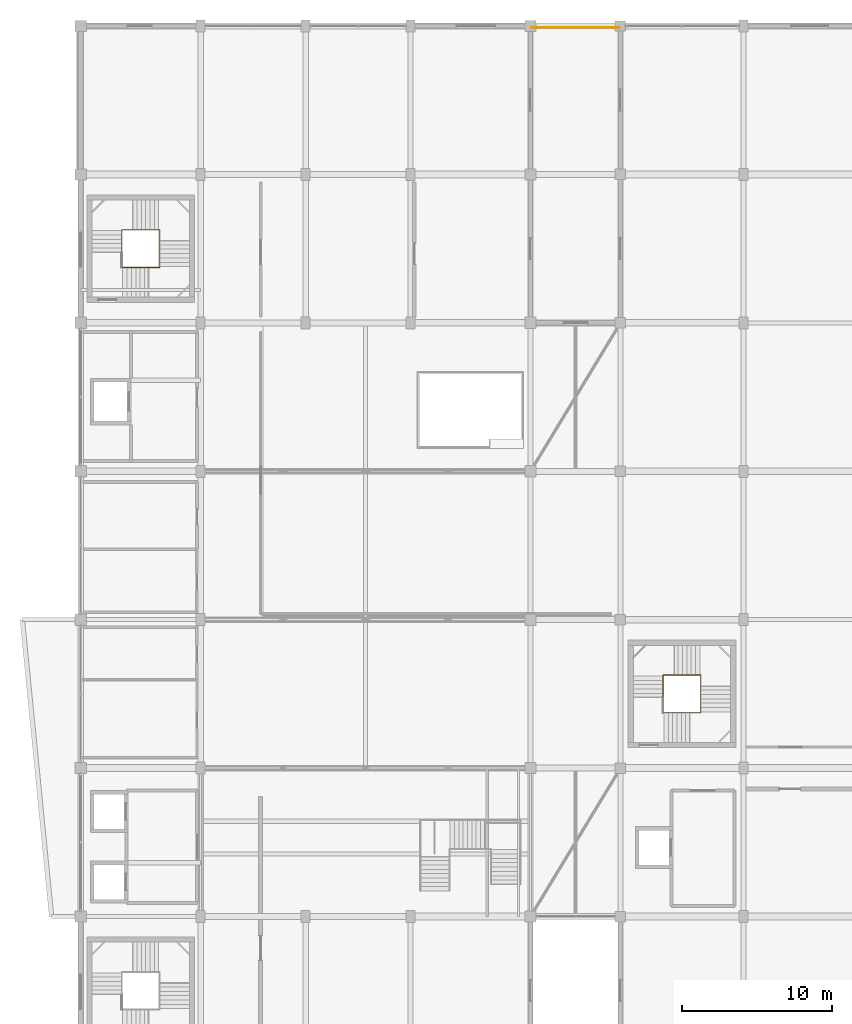
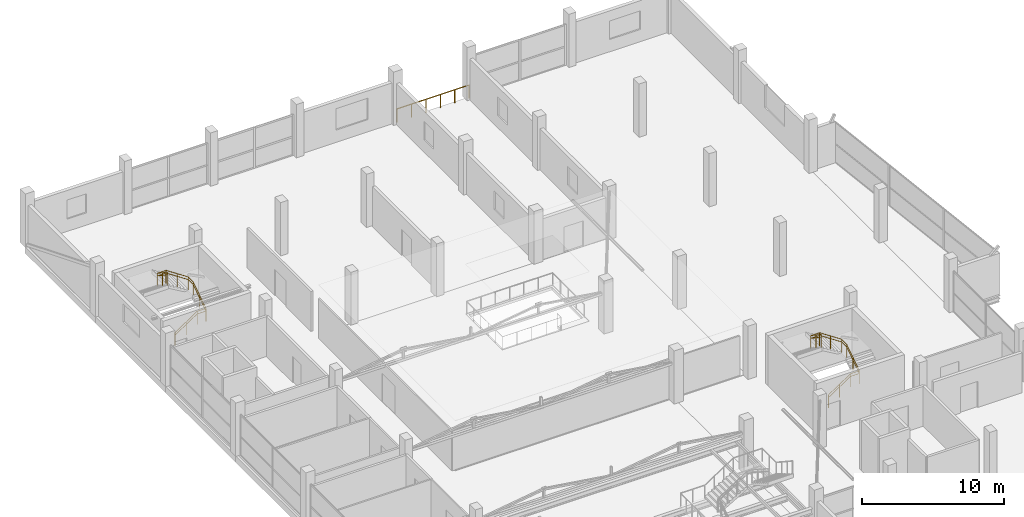
# One storey, part 55 of 55: 5 railings.
"""IFC4 building model written with IfcOpenShell, lengths in metres."""

from ifc_helpers import new_model, si_unit, direction, frame, origin, origin_2d, place, context, subcontext, project, spatial, circle, extrude, material, type_object, element, save


model = new_model("IFC4")

# Units and contexts
model_context = context("Model", 3, precision=1e-05, world=origin(), true_north=direction((0.0, 1.0)))
body_context = subcontext(model_context, "Body", "Model", "MODEL_VIEW")
ifc_project = project(units=[si_unit("LENGTHUNIT", "METRE"), si_unit("AREAUNIT", "SQUARE_METRE"), si_unit("VOLUMEUNIT", "CUBIC_METRE"), si_unit("PLANEANGLEUNIT", "RADIAN"), si_unit("MASSUNIT", "GRAM", prefix="KILO")], contexts=[model_context])

# Site, building, storey
site_placement = place(None, origin())
site = spatial("IfcSite", under=ifc_project, at=site_placement, CompositionType="ELEMENT")
building_placement = place(site_placement, origin())
building = spatial("IfcBuilding", under=site, at=building_placement, Name="Sillaruma Civic Art Gallery", CompositionType="ELEMENT")
storey_placement = place(building_placement, frame((0.0, 0.0, 37.739990234375)))
storey = spatial("IfcBuildingStorey", under=building, at=storey_placement, Name="L07", CompositionType="ELEMENT", Elevation=37.739990234375)

# Railings
ifc_material = material(Name="Stainless Steel AISI 316", Category="steel")
railing_type_1 = type_object("IfcRailingType", Name="RAL-BAL-1150", PredefinedType="BALUSTRADE", material=ifc_material)
railing_1_placement = place(storey_placement, frame((92.06005859375, 98.8798828125, 0.0)))
element("IfcRailing", 1, at=railing_1_placement, inside=storey, type_object=railing_type_1, Name="Sculpture Terrace Balustrade (SLB-L07-TER-CN-1)", PredefinedType="BALUSTRADE", context=body_context, shape_type="SweptSolid", body=[
    extrude(circle(Radius=0.02392578125, at=origin_2d()), frame((0.0, 0.0, 1.1259765625), z_axis=(1.0, 0.0, 0.0), x_axis=(0.0, 1.0, 0.0)), (0.0, 0.0, 1.0), 5.8798828125),
    extrude(circle(Radius=0.02099609375, at=origin_2d()), origin(), (0.0, 0.0, 1.0), 1.101806640625),
    extrude(circle(Radius=0.02099609375, at=origin_2d()), frame((1.176025390625, 0.0, 0.0)), (0.0, 0.0, 1.0), 1.101806640625),
    extrude(circle(Radius=0.02099609375, at=origin_2d()), frame((2.35205078125, 0.0, 0.0)), (0.0, 0.0, 1.0), 1.101806640625),
    extrude(circle(Radius=0.02099609375, at=origin_2d()), frame((3.52783203125, 0.0, 0.0)), (0.0, 0.0, 1.0), 1.101806640625),
    extrude(circle(Radius=0.02099609375, at=origin_2d()), frame((4.703857421875, 0.0, 0.0)), (0.0, 0.0, 1.0), 1.101806640625),
    extrude(circle(Radius=0.02099609375, at=origin_2d()), frame((5.8798828125, 0.0, 0.0)), (0.0, 0.0, 1.0), 1.101806640625),
])
railing_2_placement = place(storey_placement, frame((64.739990234375, 82.889892578125, 0.0)))
element("IfcRailing", 2, at=railing_2_placement, inside=storey, type_object=railing_type_1, Name="Stair Well Balustrade (ST-02-L07)", PredefinedType="BALUSTRADE", context=body_context, shape_type="SweptSolid", body=[
    extrude(circle(Radius=0.02392578125, at=origin_2d()), frame((0.0, 0.0, 1.1259765625), z_axis=(0.834202413191, 0.0, 0.551458369984), x_axis=(0.0, 1.0, 0.0)), (0.0, 0.0, 1.0), 2.15771484375),
    extrude(circle(Radius=0.02392578125, at=origin_2d()), frame((1.800048828125, 0.0, 2.31591796875), z_axis=(1.0, 0.0, 0.0), x_axis=(0.0, 1.0, 0.0)), (0.0, 0.0, 1.0), 0.719970703125),
    extrude(circle(Radius=0.02392578125, at=origin_2d()), frame((2.52001953125, 0.0, 2.31591796875), z_axis=(0.0, 0.834150363844, 0.551537098025), x_axis=(-1.0, 0.0, 0.0)), (0.0, 0.0, 1.0), 2.157958984375),
    extrude(circle(Radius=0.02392578125, at=origin_2d()), frame((2.52001953125, 1.800048828125, 3.505859375), z_axis=(0.0, 1.0, 0.0), x_axis=(-1.0, 0.0, 0.0)), (0.0, 0.0, 1.0), 0.719970703125),
    extrude(circle(Radius=0.02392578125, at=origin_2d()), frame((2.52001953125, 2.52001953125, 3.505859375), z_axis=(-0.834202413191, 0.0, 0.551458369984), x_axis=(0.0, -1.0, 0.0)), (0.0, 0.0, 1.0), 2.15771484375),
    extrude(circle(Radius=0.02392578125, at=origin_2d()), frame((0.719970703125, 2.52001953125, 4.69580078125), z_axis=(-1.0, 0.0, 0.0), x_axis=(0.0, -1.0, 0.0)), (0.0, 0.0, 1.0), 0.719970703125),
    extrude(circle(Radius=0.02392578125, at=origin_2d()), frame((0.0, 2.52001953125, 4.69580078125), z_axis=(0.0, -0.828654473869, 0.559760451387), x_axis=(1.0, 0.0, 0.0)), (0.0, 0.0, 1.0), 1.822265625),
    extrude(circle(Radius=0.02099609375, at=origin_2d()), origin(), (0.0, 0.0, 1.0), 1.101806640625),
    extrude(circle(Radius=0.02099609375, at=origin_2d()), frame((0.89990234375, 0.0, 0.594970703125)), (0.0, 0.0, 1.0), 1.101806640625),
    extrude(circle(Radius=0.02099609375, at=origin_2d()), frame((1.800048828125, 0.0, 1.18994140625)), (0.0, 0.0, 1.0), 1.101806640625),
    extrude(circle(Radius=0.02099609375, at=origin_2d()), frame((2.52001953125, 0.0, 1.18994140625)), (0.0, 0.0, 1.0), 1.101806640625),
    extrude(circle(Radius=0.02099609375, at=origin_2d()), frame((2.52001953125, 0.89990234375, 1.78515625)), (0.0, 0.0, 1.0), 1.101806640625),
    extrude(circle(Radius=0.02099609375, at=origin_2d()), frame((2.52001953125, 1.800048828125, 2.380126953125)), (0.0, 0.0, 1.0), 1.101806640625),
    extrude(circle(Radius=0.02099609375, at=origin_2d()), frame((2.52001953125, 2.52001953125, 2.380126953125)), (0.0, 0.0, 1.0), 1.101806640625),
    extrude(circle(Radius=0.02099609375, at=origin_2d()), frame((1.6201171875, 2.52001953125, 2.97509765625)), (0.0, 0.0, 1.0), 1.101806640625),
    extrude(circle(Radius=0.02099609375, at=origin_2d()), frame((0.719970703125, 2.52001953125, 3.570068359375)), (0.0, 0.0, 1.0), 1.101806640625),
    extrude(circle(Radius=0.02099609375, at=origin_2d()), frame((0.0, 2.52001953125, 3.570068359375)), (0.0, 0.0, 1.0), 1.101806640625),
    extrude(circle(Radius=0.02099609375, at=origin_2d()), frame((0.0, 1.76513671875, 4.080078125)), (0.0, 0.0, 1.0), 1.101806640625),
    extrude(circle(Radius=0.02099609375, at=origin_2d()), frame((0.0, 1.010009765625, 4.590087890625)), (0.0, 0.0, 1.0), 1.101806640625),
])
railing_3_placement = place(storey_placement, frame((100.840087890625, 53.18994140625, 0.0)))
element("IfcRailing", 3, at=railing_3_placement, inside=storey, type_object=railing_type_1, Name="Stair Well Balustrade (ST-04-L07)", PredefinedType="BALUSTRADE", context=body_context, shape_type="SweptSolid", body=[
    extrude(circle(Radius=0.02392578125, at=origin_2d()), frame((0.0, 0.0, 1.1259765625), z_axis=(0.834168000855, 0.0, 0.551510422703), x_axis=(0.0, 1.0, 0.0)), (0.0, 0.0, 1.0), 2.15771484375),
    extrude(circle(Radius=0.02392578125, at=origin_2d()), frame((1.7998046875, 0.0, 2.31591796875), z_axis=(1.0, 0.0, 0.0), x_axis=(0.0, 1.0, 0.0)), (0.0, 0.0, 1.0), 0.72021484375),
    extrude(circle(Radius=0.02392578125, at=origin_2d()), frame((2.52001953125, 0.0, 2.31591796875), z_axis=(0.0, 0.834150363844, 0.551537098025), x_axis=(-1.0, 0.0, 0.0)), (0.0, 0.0, 1.0), 2.157958984375),
    extrude(circle(Radius=0.02392578125, at=origin_2d()), frame((2.52001953125, 1.800048828125, 3.505859375), z_axis=(0.0, 1.0, 0.0), x_axis=(-1.0, 0.0, 0.0)), (0.0, 0.0, 1.0), 0.719970703125),
    extrude(circle(Radius=0.02392578125, at=origin_2d()), frame((2.52001953125, 2.52001953125, 3.505859375), z_axis=(-0.834202413191, 0.0, 0.551458369984), x_axis=(0.0, -1.0, 0.0)), (0.0, 0.0, 1.0), 2.15771484375),
    extrude(circle(Radius=0.02392578125, at=origin_2d()), frame((0.719970703125, 2.52001953125, 4.69580078125), z_axis=(-1.0, 0.0, 0.0), x_axis=(0.0, -1.0, 0.0)), (0.0, 0.0, 1.0), 0.719970703125),
    extrude(circle(Radius=0.02392578125, at=origin_2d()), frame((0.0, 2.52001953125, 4.69580078125), z_axis=(0.0, -0.828654473869, 0.559760451387), x_axis=(1.0, 0.0, 0.0)), (0.0, 0.0, 1.0), 1.822265625),
    extrude(circle(Radius=0.02099609375, at=origin_2d()), origin(), (0.0, 0.0, 1.0), 1.101806640625),
    extrude(circle(Radius=0.02099609375, at=origin_2d()), frame((0.89990234375, 0.0, 0.594970703125)), (0.0, 0.0, 1.0), 1.101806640625),
    extrude(circle(Radius=0.02099609375, at=origin_2d()), frame((1.7998046875, 0.0, 1.18994140625)), (0.0, 0.0, 1.0), 1.101806640625),
    extrude(circle(Radius=0.02099609375, at=origin_2d()), frame((2.52001953125, 0.0, 1.18994140625)), (0.0, 0.0, 1.0), 1.101806640625),
    extrude(circle(Radius=0.02099609375, at=origin_2d()), frame((2.52001953125, 0.89990234375, 1.78515625)), (0.0, 0.0, 1.0), 1.101806640625),
    extrude(circle(Radius=0.02099609375, at=origin_2d()), frame((2.52001953125, 1.800048828125, 2.380126953125)), (0.0, 0.0, 1.0), 1.101806640625),
    extrude(circle(Radius=0.02099609375, at=origin_2d()), frame((2.52001953125, 2.52001953125, 2.380126953125)), (0.0, 0.0, 1.0), 1.101806640625),
    extrude(circle(Radius=0.02099609375, at=origin_2d()), frame((1.6201171875, 2.52001953125, 2.97509765625)), (0.0, 0.0, 1.0), 1.101806640625),
    extrude(circle(Radius=0.02099609375, at=origin_2d()), frame((0.719970703125, 2.52001953125, 3.570068359375)), (0.0, 0.0, 1.0), 1.101806640625),
    extrude(circle(Radius=0.02099609375, at=origin_2d()), frame((0.0, 2.52001953125, 3.570068359375)), (0.0, 0.0, 1.0), 1.101806640625),
    extrude(circle(Radius=0.02099609375, at=origin_2d()), frame((0.0, 1.76513671875, 4.080078125)), (0.0, 0.0, 1.0), 1.101806640625),
    extrude(circle(Radius=0.02099609375, at=origin_2d()), frame((0.0, 1.010009765625, 4.590087890625)), (0.0, 0.0, 1.0), 1.101806640625),
])
railing_type_2 = type_object("IfcRailingType", Name="RAL-HND-920", PredefinedType="HANDRAIL", material=ifc_material)
railing_4_placement = place(storey_placement, frame((64.739990234375, 82.889892578125, 0.0)))
element("IfcRailing", 4, at=railing_4_placement, inside=storey, type_object=railing_type_2, Name="Stair Continuous Handrail (ST-02-L07)", PredefinedType="HANDRAIL", context=body_context, shape_type="SweptSolid", body=[
    extrude(circle(Radius=0.02392578125, at=origin_2d()), frame((0.0, 0.0, 0.89599609375), z_axis=(0.834202413191, 0.0, 0.551458369984), x_axis=(0.0, 1.0, 0.0)), (0.0, 0.0, 1.0), 2.15771484375),
    extrude(circle(Radius=0.02392578125, at=origin_2d()), frame((1.800048828125, 0.0, 2.0859375), z_axis=(1.0, 0.0, 0.0), x_axis=(0.0, 1.0, 0.0)), (0.0, 0.0, 1.0), 0.719970703125),
    extrude(circle(Radius=0.02392578125, at=origin_2d()), frame((2.52001953125, 0.0, 2.0859375), z_axis=(0.0, 0.834150363844, 0.551537098025), x_axis=(-1.0, 0.0, 0.0)), (0.0, 0.0, 1.0), 2.157958984375),
    extrude(circle(Radius=0.02392578125, at=origin_2d()), frame((2.52001953125, 1.800048828125, 3.27587890625), z_axis=(0.0, 1.0, 0.0), x_axis=(-1.0, 0.0, 0.0)), (0.0, 0.0, 1.0), 0.719970703125),
    extrude(circle(Radius=0.02392578125, at=origin_2d()), frame((2.52001953125, 2.52001953125, 3.27587890625), z_axis=(-0.834202413191, 0.0, 0.551458369984), x_axis=(0.0, -1.0, 0.0)), (0.0, 0.0, 1.0), 2.15771484375),
    extrude(circle(Radius=0.02392578125, at=origin_2d()), frame((0.719970703125, 2.52001953125, 4.4658203125), z_axis=(-1.0, 0.0, 0.0), x_axis=(0.0, -1.0, 0.0)), (0.0, 0.0, 1.0), 0.719970703125),
    extrude(circle(Radius=0.02392578125, at=origin_2d()), frame((0.0, 2.52001953125, 4.4658203125), z_axis=(0.0, -0.828654473869, 0.559760451387), x_axis=(1.0, 0.0, 0.0)), (0.0, 0.0, 1.0), 1.822265625),
    extrude(circle(Radius=0.02099609375, at=origin_2d()), origin(), (0.0, 0.0, 1.0), 0.871826171875),
    extrude(circle(Radius=0.02099609375, at=origin_2d()), frame((0.89990234375, 0.0, 0.594970703125)), (0.0, 0.0, 1.0), 0.871826171875),
    extrude(circle(Radius=0.02099609375, at=origin_2d()), frame((1.800048828125, 0.0, 1.18994140625)), (0.0, 0.0, 1.0), 0.871826171875),
    extrude(circle(Radius=0.02099609375, at=origin_2d()), frame((2.52001953125, 0.0, 1.18994140625)), (0.0, 0.0, 1.0), 0.871826171875),
    extrude(circle(Radius=0.02099609375, at=origin_2d()), frame((2.52001953125, 0.89990234375, 1.78515625)), (0.0, 0.0, 1.0), 0.871826171875),
    extrude(circle(Radius=0.02099609375, at=origin_2d()), frame((2.52001953125, 1.800048828125, 2.380126953125)), (0.0, 0.0, 1.0), 0.871826171875),
    extrude(circle(Radius=0.02099609375, at=origin_2d()), frame((2.52001953125, 2.52001953125, 2.380126953125)), (0.0, 0.0, 1.0), 0.871826171875),
    extrude(circle(Radius=0.02099609375, at=origin_2d()), frame((1.6201171875, 2.52001953125, 2.97509765625)), (0.0, 0.0, 1.0), 0.871826171875),
    extrude(circle(Radius=0.02099609375, at=origin_2d()), frame((0.719970703125, 2.52001953125, 3.570068359375)), (0.0, 0.0, 1.0), 0.871826171875),
    extrude(circle(Radius=0.02099609375, at=origin_2d()), frame((0.0, 2.52001953125, 3.570068359375)), (0.0, 0.0, 1.0), 0.871826171875),
    extrude(circle(Radius=0.02099609375, at=origin_2d()), frame((0.0, 1.76513671875, 4.080078125)), (0.0, 0.0, 1.0), 0.871826171875),
    extrude(circle(Radius=0.02099609375, at=origin_2d()), frame((0.0, 1.010009765625, 4.590087890625)), (0.0, 0.0, 1.0), 0.871826171875),
])
railing_5_placement = place(storey_placement, frame((100.840087890625, 53.18994140625, 0.0)))
element("IfcRailing", 5, at=railing_5_placement, inside=storey, type_object=railing_type_2, Name="Stair Continuous Handrail (ST-04-L07)", PredefinedType="HANDRAIL", context=body_context, shape_type="SweptSolid", body=[
    extrude(circle(Radius=0.02392578125, at=origin_2d()), frame((0.0, 0.0, 0.89599609375), z_axis=(0.834168000855, 0.0, 0.551510422703), x_axis=(0.0, 1.0, 0.0)), (0.0, 0.0, 1.0), 2.15771484375),
    extrude(circle(Radius=0.02392578125, at=origin_2d()), frame((1.7998046875, 0.0, 2.0859375), z_axis=(1.0, 0.0, 0.0), x_axis=(0.0, 1.0, 0.0)), (0.0, 0.0, 1.0), 0.72021484375),
    extrude(circle(Radius=0.02392578125, at=origin_2d()), frame((2.52001953125, 0.0, 2.0859375), z_axis=(0.0, 0.834150363844, 0.551537098025), x_axis=(-1.0, 0.0, 0.0)), (0.0, 0.0, 1.0), 2.157958984375),
    extrude(circle(Radius=0.02392578125, at=origin_2d()), frame((2.52001953125, 1.800048828125, 3.27587890625), z_axis=(0.0, 1.0, 0.0), x_axis=(-1.0, 0.0, 0.0)), (0.0, 0.0, 1.0), 0.719970703125),
    extrude(circle(Radius=0.02392578125, at=origin_2d()), frame((2.52001953125, 2.52001953125, 3.27587890625), z_axis=(-0.834202413191, 0.0, 0.551458369984), x_axis=(0.0, -1.0, 0.0)), (0.0, 0.0, 1.0), 2.15771484375),
    extrude(circle(Radius=0.02392578125, at=origin_2d()), frame((0.719970703125, 2.52001953125, 4.4658203125), z_axis=(-1.0, 0.0, 0.0), x_axis=(0.0, -1.0, 0.0)), (0.0, 0.0, 1.0), 0.719970703125),
    extrude(circle(Radius=0.02392578125, at=origin_2d()), frame((0.0, 2.52001953125, 4.4658203125), z_axis=(0.0, -0.828654473869, 0.559760451387), x_axis=(1.0, 0.0, 0.0)), (0.0, 0.0, 1.0), 1.822265625),
    extrude(circle(Radius=0.02099609375, at=origin_2d()), origin(), (0.0, 0.0, 1.0), 0.871826171875),
    extrude(circle(Radius=0.02099609375, at=origin_2d()), frame((0.89990234375, 0.0, 0.594970703125)), (0.0, 0.0, 1.0), 0.871826171875),
    extrude(circle(Radius=0.02099609375, at=origin_2d()), frame((1.7998046875, 0.0, 1.18994140625)), (0.0, 0.0, 1.0), 0.871826171875),
    extrude(circle(Radius=0.02099609375, at=origin_2d()), frame((2.52001953125, 0.0, 1.18994140625)), (0.0, 0.0, 1.0), 0.871826171875),
    extrude(circle(Radius=0.02099609375, at=origin_2d()), frame((2.52001953125, 0.89990234375, 1.78515625)), (0.0, 0.0, 1.0), 0.871826171875),
    extrude(circle(Radius=0.02099609375, at=origin_2d()), frame((2.52001953125, 1.800048828125, 2.380126953125)), (0.0, 0.0, 1.0), 0.871826171875),
    extrude(circle(Radius=0.02099609375, at=origin_2d()), frame((2.52001953125, 2.52001953125, 2.380126953125)), (0.0, 0.0, 1.0), 0.871826171875),
    extrude(circle(Radius=0.02099609375, at=origin_2d()), frame((1.6201171875, 2.52001953125, 2.97509765625)), (0.0, 0.0, 1.0), 0.871826171875),
    extrude(circle(Radius=0.02099609375, at=origin_2d()), frame((0.719970703125, 2.52001953125, 3.570068359375)), (0.0, 0.0, 1.0), 0.871826171875),
    extrude(circle(Radius=0.02099609375, at=origin_2d()), frame((0.0, 2.52001953125, 3.570068359375)), (0.0, 0.0, 1.0), 0.871826171875),
    extrude(circle(Radius=0.02099609375, at=origin_2d()), frame((0.0, 1.76513671875, 4.080078125)), (0.0, 0.0, 1.0), 0.871826171875),
    extrude(circle(Radius=0.02099609375, at=origin_2d()), frame((0.0, 1.010009765625, 4.590087890625)), (0.0, 0.0, 1.0), 0.871826171875),
])

save(model, "model.ifc")
